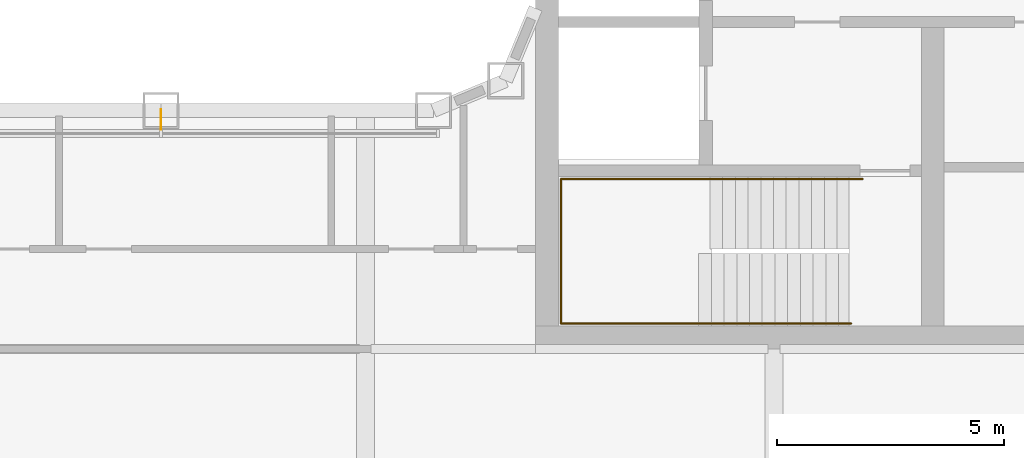
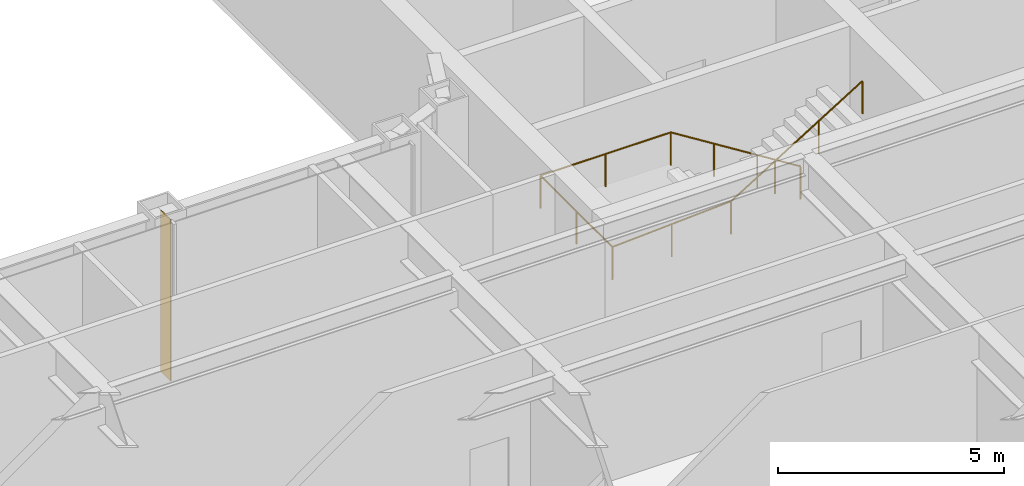
# One storey, part 21 of 24: 1 railing, 1 shading device.
"""IFC4 building model written with IfcOpenShell, lengths in metres."""

from ifc_helpers import new_model, si_unit, direction, frame, origin, origin_2d, place, context, subcontext, project, spatial, rectangle, circle, extrude, material, layer, layer_set, type_object, element, save


model = new_model("IFC4")

# Units and contexts
model_context = context("Model", 3, precision=1e-05, world=origin(), true_north=direction((0.0, 1.0)))
body_context = subcontext(model_context, "Body", "Model", "MODEL_VIEW")
ifc_project = project(units=[si_unit("LENGTHUNIT", "METRE"), si_unit("AREAUNIT", "SQUARE_METRE"), si_unit("VOLUMEUNIT", "CUBIC_METRE"), si_unit("PLANEANGLEUNIT", "RADIAN"), si_unit("MASSUNIT", "GRAM", prefix="KILO")], contexts=[model_context])

# Site, building, storey
site_placement = place(None, origin())
site = spatial("IfcSite", under=ifc_project, at=site_placement, CompositionType="ELEMENT")
building_placement = place(site_placement, origin())
building = spatial("IfcBuilding", under=site, at=building_placement, Name="Siwar Civic Tower", CompositionType="ELEMENT")
storey_placement = place(building_placement, frame((0.0, 0.0, 40.199951171875)))
storey = spatial("IfcBuildingStorey", under=building, at=storey_placement, Name="L08", CompositionType="ELEMENT", Elevation=40.199951171875)

# Railing
ifc_material_1 = material(Name="Stainless steel", Category="steel")
railing_type = type_object("IfcRailingType", Name="CORE-STAIR-HANDRAIL", PredefinedType="HANDRAIL", material=ifc_material_1)
railing_placement = place(storey_placement, frame((15.449951171875, -9.758056640625, 0.173095703125)))
element("IfcRailing", 1, at=railing_placement, inside=storey, type_object=railing_type, Name="Stair handrail ST4", PredefinedType="HANDRAIL", context=body_context, shape_type="SweptSolid", body=[
    extrude(circle(Radius=0.02001953125, at=origin_2d()), frame((0.0, 0.0, 0.8798828125), z_axis=(-0.847063342986, 0.0, 0.531491950051), x_axis=(0.0, -1.0, 0.0)), (0.0, 0.0, 1.0), 3.90771484375),
    extrude(circle(Radius=0.02001953125, at=origin_2d()), frame((-3.31005859375, 0.0, 2.956787109375), z_axis=(-1.0, 0.0, 0.0), x_axis=(0.0, -1.0, 0.0)), (0.0, 0.0, 1.0), 3.331787109375),
    extrude(circle(Radius=0.02001953125, at=origin_2d()), frame((-6.641845703125, 0.0, 2.956787109375), z_axis=(0.0, -1.0, 0.0), x_axis=(1.0, 0.0, 0.0)), (0.0, 0.0, 1.0), 3.183837890625),
    extrude(circle(Radius=0.02001953125, at=origin_2d()), frame((-6.641845703125, -3.183837890625, 2.956787109375), z_axis=(0.99837434197, 0.0, 0.056997134106), x_axis=(0.0, 1.0, 0.0)), (0.0, 0.0, 1.0), 3.036865234375),
    extrude(circle(Radius=0.02001953125, at=origin_2d()), frame((-3.60986328125, -3.183837890625, 3.1298828125), z_axis=(0.850606129759, 0.0, 0.525803396734), x_axis=(0.0, 1.0, 0.0)), (0.0, 0.0, 1.0), 3.949951171875),
    extrude(circle(Radius=0.02001953125, at=origin_2d()), origin(), (0.0, 0.0, 1.0), 0.85986328125),
    extrude(circle(Radius=0.02001953125, at=origin_2d()), frame((-1.103271484375, 0.0, 0.6923828125)), (0.0, 0.0, 1.0), 0.85986328125),
    extrude(circle(Radius=0.02001953125, at=origin_2d()), frame((-2.206787109375, 0.0, 1.384521484375)), (0.0, 0.0, 1.0), 0.85986328125),
    extrude(circle(Radius=0.02001953125, at=origin_2d()), frame((-3.31005859375, 0.0, 2.076904296875)), (0.0, 0.0, 1.0), 0.85986328125),
    extrude(circle(Radius=0.02001953125, at=origin_2d()), frame((-4.97607421875, 0.0, 2.076904296875)), (0.0, 0.0, 1.0), 0.85986328125),
    extrude(circle(Radius=0.02001953125, at=origin_2d()), frame((-6.641845703125, 0.0, 2.076904296875)), (0.0, 0.0, 1.0), 0.85986328125),
    extrude(circle(Radius=0.02001953125, at=origin_2d()), frame((-6.641845703125, -1.591796875, 2.076904296875)), (0.0, 0.0, 1.0), 0.85986328125),
    extrude(circle(Radius=0.02001953125, at=origin_2d()), frame((-6.641845703125, -3.183837890625, 2.076904296875)), (0.0, 0.0, 1.0), 0.85986328125),
    extrude(circle(Radius=0.02001953125, at=origin_2d()), frame((-5.1259765625, -3.183837890625, 2.16357421875)), (0.0, 0.0, 1.0), 0.85986328125),
    extrude(circle(Radius=0.02001953125, at=origin_2d()), frame((-3.60986328125, -3.183837890625, 2.25)), (0.0, 0.0, 1.0), 0.85986328125),
    extrude(circle(Radius=0.02001953125, at=origin_2d()), frame((-2.489990234375, -3.183837890625, 2.9423828125)), (0.0, 0.0, 1.0), 0.85986328125),
    extrude(circle(Radius=0.02001953125, at=origin_2d()), frame((-1.369873046875, -3.183837890625, 3.634521484375)), (0.0, 0.0, 1.0), 0.85986328125),
    extrude(circle(Radius=0.02001953125, at=origin_2d()), frame((-0.25, -3.183837890625, 4.326904296875)), (0.0, 0.0, 1.0), 0.85986328125),
])

# Shading device
ifc_material_2 = material(Name="Aluminium 6063-T6", Category="aluminium")
ifc_layer = layer(ifc_material_2, 0.02001953125)
ifc_layer_set = layer_set([ifc_layer], Name="Aluminium 6063-T6")
shading_device_type = type_object("IfcShadingDeviceType", Name="ENV-FIN", PredefinedType="JALOUSIE", material=ifc_layer_set)
shading_device_placement = place(storey_placement, frame((0.0, -8.445068359375, 0.0), z_axis=(0.0, 0.0, 1.0), x_axis=(1.0, 0.0, 0.0)))
element("IfcShadingDevice", 2, at=shading_device_placement, inside=storey, type_object=shading_device_type, Name="SUNSHADE fin WS 1", PredefinedType="JALOUSIE", context=body_context, shape_type="SweptSolid", body=[
    extrude(rectangle(XDim=0.02001953125, YDim=0.449951171875, at=origin_2d()), origin(), (0.0, 0.0, 1.0), 4.35009765625),
])

save(model, "model.ifc")
